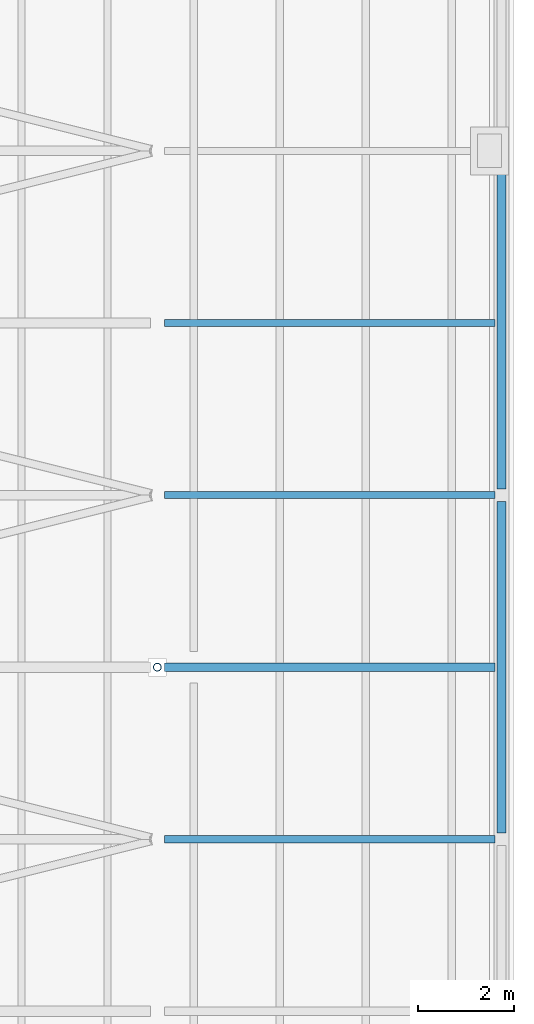
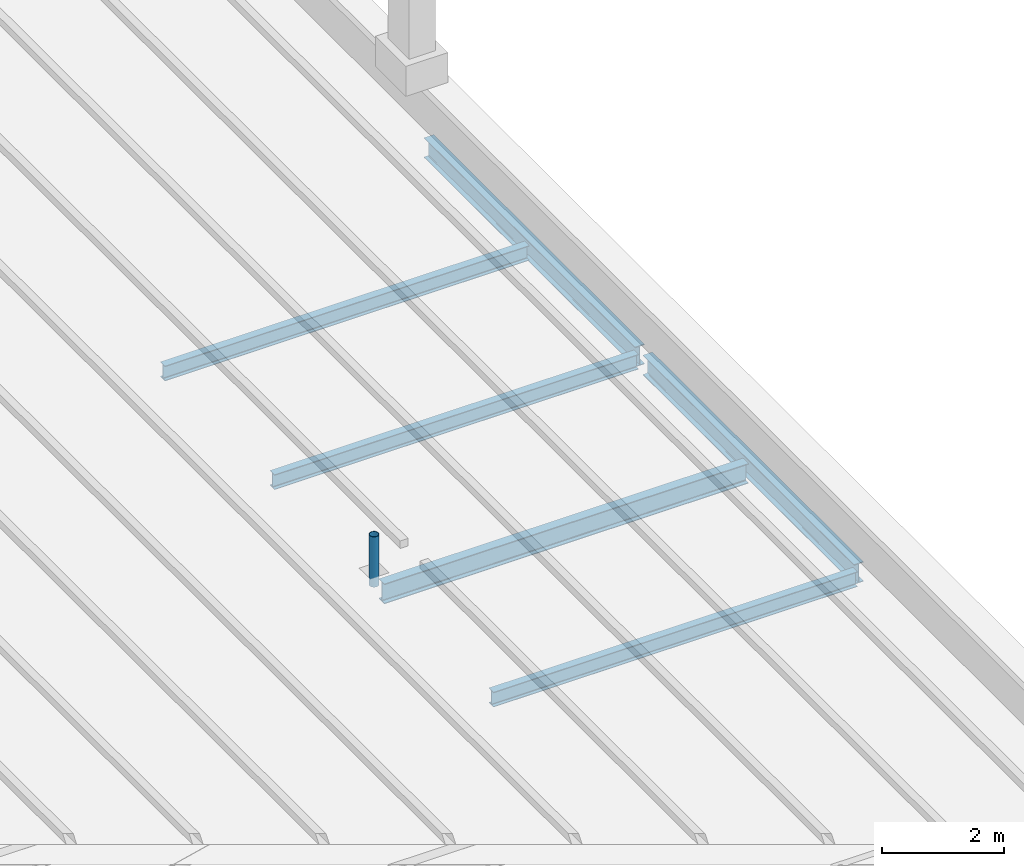
# One storey, part 44 of 120: 6 beams, 1 member.
"""IFC4 building model written with IfcOpenShell, lengths in metres."""

from ifc_helpers import new_model, si_unit, direction, frame, origin, origin_2d, place, context, subcontext, project, spatial, hollow_circle, i_section, extrude, material, material_profile, profile_set, type_object, element, save


model = new_model("IFC4")

# Units and contexts
model_context = context("Model", 3, precision=1e-05, world=origin(), true_north=direction((0.0, 1.0)))
body_context = subcontext(model_context, "Body", "Model", "MODEL_VIEW")
ifc_project = project(units=[si_unit("LENGTHUNIT", "METRE"), si_unit("AREAUNIT", "SQUARE_METRE"), si_unit("VOLUMEUNIT", "CUBIC_METRE"), si_unit("PLANEANGLEUNIT", "RADIAN"), si_unit("MASSUNIT", "GRAM", prefix="KILO")], contexts=[model_context])

# Site, building, storey
site_placement = place(None, origin())
site = spatial("IfcSite", under=ifc_project, at=site_placement, CompositionType="ELEMENT")
building_placement = place(site_placement, origin())
building = spatial("IfcBuilding", under=site, at=building_placement, Name="Kupolbacken Congress Centre", CompositionType="ELEMENT")
storey_placement = place(building_placement, frame((0.0, 0.0, 21.60009765625)))
storey = spatial("IfcBuildingStorey", under=building, at=storey_placement, Name="L06", CompositionType="ELEMENT", Elevation=21.60009765625)

# Beams
ifc_material_1 = material(Name="Steel S355", Category="steel")
ifc_material_profile_1 = material_profile(ifc_material_1, i_section(OverallWidth=0.14990234375, OverallDepth=0.300048828125, WebThickness=0.007080078125, FlangeThickness=0.0107421875, FilletRadius=0.014892578125, at=origin_2d()), Name="IPE 300")
ifc_profile_set_1 = profile_set([ifc_material_profile_1], Name="Steel S355")
beam_type_1 = type_object("IfcBeamType", Name="B04 beam IPE 300", PredefinedType="BEAM", material=ifc_profile_set_1)
for number, where, z_axis, x_axis, name in (
    (1, (194.544921875, 57.60009765625, -0.150146484375), (1.0, 0.0, 0.0), (0.0, 1.0, 0.0), "HR/P04-08"),
    (2, (194.544921875, 64.800048828125, -0.150146484375), (1.0, 0.0, 0.0), (0.0, 1.0, 0.0), "HR/P06-08"),
    (3, (194.544921875, 68.39990234375, -0.150146484375), (1.0, 0.0, 0.0), (0.0, 1.0, 0.0), "HR/P07-08"),
):
    element("IfcBeam", number, at=place(storey_placement, frame(where, z_axis=z_axis, x_axis=x_axis)), inside=storey, type_object=beam_type_1, Name=name, PredefinedType="BEAM", context=body_context, shape_type="SweptSolid", body=[
        extrude(i_section(OverallWidth=0.14990234375, OverallDepth=0.300048828125, WebThickness=0.007080078125, FlangeThickness=0.0107421875, FilletRadius=0.014892578125, at=origin_2d()), origin(), (0.0, 0.0, 1.0), 6.9150390625),
    ])
ifc_material_2 = material(Name="Steel S355", Category="steel")
ifc_material_profile_2 = material_profile(ifc_material_2, i_section(OverallWidth=0.179931640625, OverallDepth=0.39990234375, WebThickness=0.008544921875, FlangeThickness=0.013427734375, FilletRadius=0.02099609375, at=origin_2d()), Name="IPE 400")
ifc_profile_set_2 = profile_set([ifc_material_profile_2], Name="Steel S355")
beam_type_2 = type_object("IfcBeamType", Name="B07 beam IPE 400", PredefinedType="BEAM", material=ifc_profile_set_2)
beam_1_placement = place(storey_placement, frame((201.60009765625, 57.72998046875, -0.2001953125), z_axis=(0.0, 1.0, 0.0), x_axis=(-1.0, 0.0, 0.0)))
element("IfcBeam", 4, at=beam_1_placement, inside=storey, type_object=beam_type_2, Name="HR/GE03", PredefinedType="BEAM", context=body_context, shape_type="SweptSolid", body=[
    extrude(i_section(OverallWidth=0.179931640625, OverallDepth=0.39990234375, WebThickness=0.008544921875, FlangeThickness=0.013427734375, FilletRadius=0.02099609375, at=origin_2d()), origin(), (0.0, 0.0, 1.0), 6.93994140625),
])
beam_2_placement = place(storey_placement, frame((201.60009765625, 64.929931640625, -0.2001953125), z_axis=(0.0, 1.0, 0.0), x_axis=(-1.0, 0.0, 0.0)))
element("IfcBeam", 5, at=beam_2_placement, inside=storey, type_object=beam_type_2, Name="HR/GE04", PredefinedType="BEAM", context=body_context, shape_type="SweptSolid", body=[
    extrude(i_section(OverallWidth=0.179931640625, OverallDepth=0.39990234375, WebThickness=0.008544921875, FlangeThickness=0.013427734375, FilletRadius=0.02099609375, at=origin_2d()), origin(), (0.0, 0.0, 1.0), 6.940185546875),
])
beam_3_placement = place(storey_placement, frame((194.544921875, 61.199951171875, -0.2001953125), z_axis=(1.0, 0.0, 0.0), x_axis=(0.0, 1.0, 0.0)))
element("IfcBeam", 6, at=beam_3_placement, inside=storey, type_object=beam_type_2, Name="HR/X05-08", PredefinedType="BEAM", context=body_context, shape_type="SweptSolid", body=[
    extrude(i_section(OverallWidth=0.179931640625, OverallDepth=0.39990234375, WebThickness=0.008544921875, FlangeThickness=0.013427734375, FilletRadius=0.02099609375, at=origin_2d()), origin(), (0.0, 0.0, 1.0), 6.9150390625),
])

# Member
ifc_material_3 = material(Name="Steel S355", Category="steel")
ifc_material_profile_3 = material_profile(ifc_material_3, hollow_circle(Radius=0.084228515625, WallThickness=0.008056640625, at=origin_2d()), Name="CHS 168.3 x 8")
ifc_profile_set_3 = profile_set([ifc_material_profile_3], Name="Steel S355")
member_type = type_object("IfcMemberType", Name="M20 transfer truss post CHS 168.3 x 8", PredefinedType="STRUT", material=ifc_profile_set_3)
member_placement = place(storey_placement, frame((194.39990234375, 61.199951171875, -0.010009765625), z_axis=(0.0, 0.0, 1.0), x_axis=(1.0, 0.0, 0.0)))
element("IfcMember", 7, at=member_placement, inside=storey, type_object=member_type, Name="Roof stay anchor post M8S.1", PredefinedType="STRUT", context=body_context, shape_type="SweptSolid", body=[
    extrude(hollow_circle(Radius=0.084228515625, WallThickness=0.008056640625, at=origin_2d()), origin(), (0.0, 0.0, 1.0), 1.010009765625),
])

save(model, "model.ifc")
